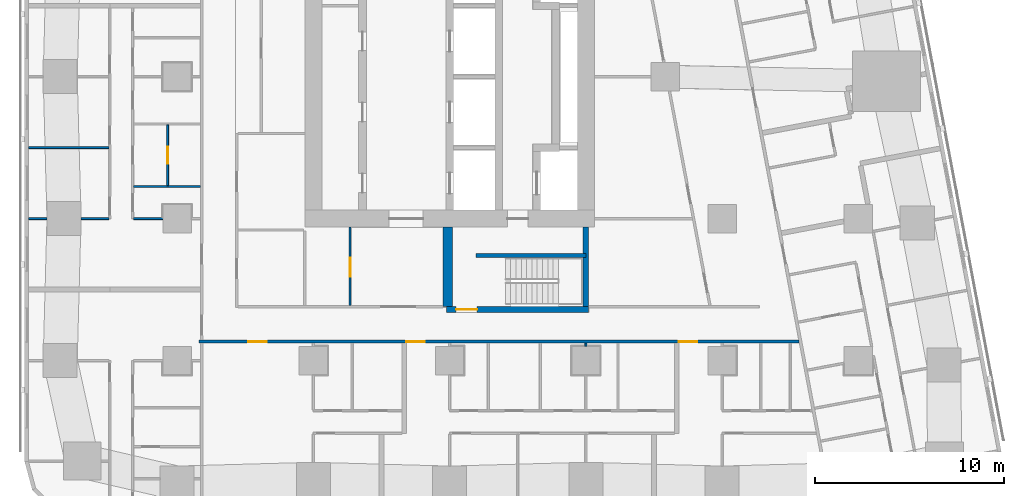
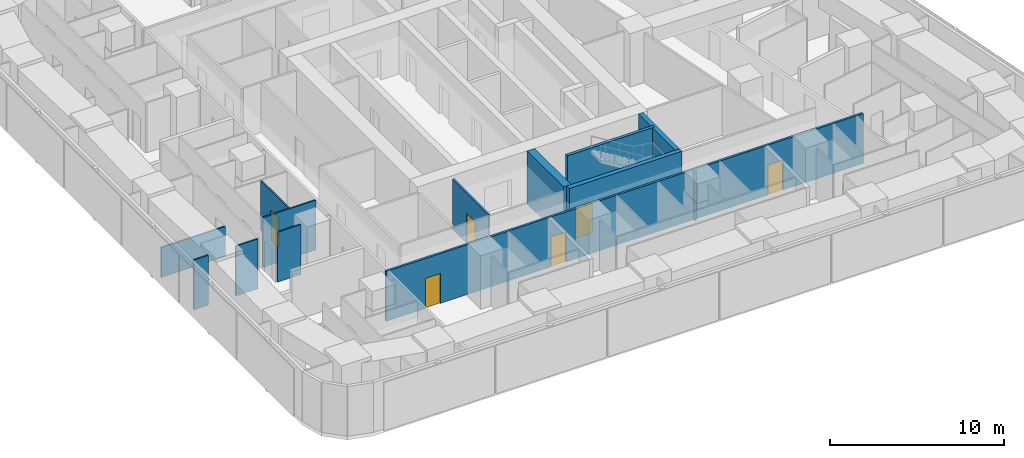
# One storey, part 4 of 15: 13 walls, 6 doors, 6 openings.
"""IFC4 building model written with IfcOpenShell, lengths in metres."""

from ifc_helpers import new_model, si_unit, direction, frame, frame_2d, origin, place, context, subcontext, project, spatial, rectangle, extrude, material, layer, layer_set, type_object, element, fill, save


model = new_model("IFC4")

# Units and contexts
model_context = context("Model", 3, precision=1e-05, world=origin(), true_north=direction((0.0, 1.0)))
body_context = subcontext(model_context, "Body", "Model", "MODEL_VIEW")
ifc_project = project(units=[si_unit("LENGTHUNIT", "METRE"), si_unit("AREAUNIT", "SQUARE_METRE"), si_unit("VOLUMEUNIT", "CUBIC_METRE"), si_unit("PLANEANGLEUNIT", "RADIAN"), si_unit("MASSUNIT", "GRAM", prefix="KILO")], contexts=[model_context])

# Site, building, storey
site_placement = place(None, origin())
site = spatial("IfcSite", under=ifc_project, at=site_placement, CompositionType="ELEMENT")
building_placement = place(site_placement, origin())
building = spatial("IfcBuilding", under=site, at=building_placement, Name="Sheger Commons Tower", CompositionType="ELEMENT")
storey_placement = place(building_placement, frame((0.0, 0.0, 162.050048828125)))
storey = spatial("IfcBuildingStorey", under=building, at=storey_placement, Name="L41", CompositionType="ELEMENT", Elevation=162.050048828125)

# Wall, openings, doors
ifc_material_1 = material(Name="Hollow concrete block masonry, skimmed both sides", Category="masonry")
ifc_layer_1 = layer(ifc_material_1, 0.14990234375)
ifc_layer_set_1 = layer_set([ifc_layer_1], Name="CORRIDOR WALL 150")
wall_type_1 = type_object("IfcWallType", Name="CORRIDOR WALL 150", PredefinedType="SOLIDWALL", material=ifc_layer_set_1)
wall_1_placement = place(storey_placement, frame((40.052978515625, 8.5, 0.0), z_axis=(0.0, 0.0, 1.0), x_axis=(-1.0, 0.0, 0.0)))
wall_1 = element("IfcWall", 1, at=wall_1_placement, inside=storey, type_object=wall_type_1, Name="Corridor wall L41", PredefinedType="SOLIDWALL", context=body_context, shape_type="SweptSolid", body=[
    extrude(rectangle(XDim=31.702880859375, YDim=0.14990234375, at=frame_2d((15.8515625, 0.0))), origin(), (0.0, 0.0, 1.0), 3.5),
])
opening_1_placement = place(wall_1_placement, frame((28.10302734375, 0.0, 0.0)))
opening_1 = element("IfcOpeningElement", 2, at=opening_1_placement, cuts=wall_1, Name="Opening D1", PredefinedType="OPENING", context=body_context, shape_type="SweptSolid", body=[
    extrude(rectangle(XDim=1.0, YDim=2.10009765625, at=frame_2d((0.5, 1.050048828125))), frame((0.0, 0.0849609375, 0.0), z_axis=(0.0, -1.0, 0.0), x_axis=(1.0, 0.0, 0.0)), (0.0, 0.0, 1.0), 0.169921875),
])
opening_2_placement = place(wall_1_placement, frame((19.75390625, 0.0, 0.0)))
opening_2 = element("IfcOpeningElement", 3, at=opening_2_placement, cuts=wall_1, Name="Opening D1", PredefinedType="OPENING", context=body_context, shape_type="SweptSolid", body=[
    extrude(rectangle(XDim=1.0, YDim=2.10009765625, at=frame_2d((0.5, 1.050048828125))), frame((0.0, 0.0849609375, 0.0), z_axis=(0.0, -1.0, 0.0), x_axis=(1.0, 0.0, 0.0)), (0.0, 0.0, 1.0), 0.169921875),
])
opening_3_placement = place(wall_1_placement, frame((5.35400390625, 0.0, 0.0)))
opening_3 = element("IfcOpeningElement", 4, at=opening_3_placement, cuts=wall_1, Name="Opening D1", PredefinedType="OPENING", context=body_context, shape_type="SweptSolid", body=[
    extrude(rectangle(XDim=1.0, YDim=2.10009765625, at=frame_2d((0.5, 1.050048828125))), frame((0.0, 0.0849609375, 0.0), z_axis=(0.0, -1.0, 0.0), x_axis=(1.0, 0.0, 0.0)), (0.0, 0.0, 1.0), 0.169921875),
])
ifc_material_2 = material(Name="Steel door set, fire rated", Category="steel")
door_type_1 = type_object("IfcDoorType", Name="FLAT ENTRANCE DOOR 1000x2100", OperationType="NOTDEFINED", PredefinedType="DOOR", material=ifc_material_2)
door_1_placement = place(opening_1_placement, origin())
door_1 = element("IfcDoor", 5, at=door_1_placement, inside=storey, type_object=door_type_1, Name="Flat entrance door", OperationType="SINGLE_SWING_RIGHT", OverallHeight=2.10009765625, OverallWidth=1.0, PredefinedType="DOOR", context=body_context, shape_type="SweptSolid", body=[
    extrude(rectangle(XDim=1.0, YDim=2.10009765625, at=frame_2d((0.5, 1.050048828125))), frame((0.0, 0.02490234375, 0.0), z_axis=(0.0, -1.0, 0.0), x_axis=(1.0, 0.0, 0.0)), (0.0, 0.0, 1.0), 0.050048828125),
])
fill(opening_1, door_1)
door_2_placement = place(opening_2_placement, origin())
door_2 = element("IfcDoor", 6, at=door_2_placement, inside=storey, type_object=door_type_1, Name="Flat entrance door", OperationType="SINGLE_SWING_RIGHT", OverallHeight=2.10009765625, OverallWidth=1.0, PredefinedType="DOOR", context=body_context, shape_type="SweptSolid", body=[
    extrude(rectangle(XDim=1.0, YDim=2.10009765625, at=frame_2d((0.5, 1.050048828125))), frame((0.0, 0.02490234375, 0.0), z_axis=(0.0, -1.0, 0.0), x_axis=(1.0, 0.0, 0.0)), (0.0, 0.0, 1.0), 0.050048828125),
])
fill(opening_2, door_2)
door_3_placement = place(opening_3_placement, origin())
door_3 = element("IfcDoor", 7, at=door_3_placement, inside=storey, type_object=door_type_1, Name="Flat entrance door", OperationType="SINGLE_SWING_RIGHT", OverallHeight=2.10009765625, OverallWidth=1.0, PredefinedType="DOOR", context=body_context, shape_type="SweptSolid", body=[
    extrude(rectangle(XDim=1.0, YDim=2.10009765625, at=frame_2d((0.5, 1.050048828125))), frame((0.0, 0.02490234375, 0.0), z_axis=(0.0, -1.0, 0.0), x_axis=(1.0, 0.0, 0.0)), (0.0, 0.0, 1.0), 0.050048828125),
])
fill(opening_3, door_3)

# Walls
ifc_material_3 = material(Name="Gypsum board on steel studs", Category="steel")
ifc_layer_2 = layer(ifc_material_3, 0.10009765625)
ifc_layer_set_2 = layer_set([ifc_layer_2], Name="PARTITION 100")
wall_type_2 = type_object("IfcWallType", Name="PARTITION 100", PredefinedType="PARTITIONING", material=ifc_layer_set_2)
wall_2_placement = place(storey_placement, frame((-0.64990234375, 15.0, 0.0), z_axis=(0.0, 0.0, 1.0), x_axis=(1.0, 0.0, 0.0)))
element("IfcWall", 8, at=wall_2_placement, inside=storey, type_object=wall_type_2, Name="Partition L41", PredefinedType="PARTITIONING", context=body_context, shape_type="SweptSolid", body=[
    extrude(rectangle(XDim=0.973876953125, YDim=0.10009765625, at=frame_2d((0.48681640625, 0.0))), origin(), (0.0, 0.0, 1.0), 3.5),
])
wall_3_placement = place(storey_placement, frame((2.1259765625, 15.0, 0.0), z_axis=(0.0, 0.0, 1.0), x_axis=(1.0, 0.0, 0.0)))
element("IfcWall", 9, at=wall_3_placement, inside=storey, type_object=wall_type_2, Name="Partition L41", PredefinedType="PARTITIONING", context=body_context, shape_type="SweptSolid", body=[
    extrude(rectangle(XDim=1.47412109375, YDim=0.10009765625, at=frame_2d((0.737060546875, 0.0))), origin(), (0.0, 0.0, 1.0), 3.5),
])
wall_4_placement = place(storey_placement, frame((-0.64990234375, 18.75, 0.0), z_axis=(0.0, 0.0, 1.0), x_axis=(1.0, 0.0, 0.0)))
element("IfcWall", 10, at=wall_4_placement, inside=storey, type_object=wall_type_2, Name="Partition L41", PredefinedType="PARTITIONING", context=body_context, shape_type="SweptSolid", body=[
    extrude(rectangle(XDim=4.25, YDim=0.10009765625, at=frame_2d((2.125, 0.0))), origin(), (0.0, 0.0, 1.0), 2.099853515625),
])
wall_5_placement = place(storey_placement, frame((4.89990234375, 15.0, 0.0), z_axis=(0.0, 0.0, 1.0), x_axis=(1.0, 0.0, 0.0)))
element("IfcWall", 11, at=wall_5_placement, inside=storey, type_object=wall_type_2, Name="Partition L41", PredefinedType="PARTITIONING", context=body_context, shape_type="SweptSolid", body=[
    extrude(rectangle(XDim=1.549072265625, YDim=0.10009765625, at=frame_2d((0.7744140625, 0.0))), origin(), (0.0, 0.0, 1.0), 3.5),
])
wall_6_placement = place(storey_placement, frame((4.89990234375, 16.699951171875, 0.0), z_axis=(0.0, 0.0, 1.0), x_axis=(1.0, 0.0, 0.0)))
element("IfcWall", 12, at=wall_6_placement, inside=storey, type_object=wall_type_2, Name="Partition L41", PredefinedType="PARTITIONING", context=body_context, shape_type="SweptSolid", body=[
    extrude(rectangle(XDim=3.525146484375, YDim=0.10009765625, at=frame_2d((1.7626953125, 0.0))), origin(), (0.0, 0.0, 1.0), 3.5),
])
wall_7_placement = place(storey_placement, frame((28.800048828125, 8.2509765625, 0.0), z_axis=(0.0, 0.0, 1.0), x_axis=(0.0, 1.0, 0.0)))
element("IfcWall", 13, at=wall_7_placement, inside=storey, type_object=wall_type_2, Name="Partition L41", PredefinedType="PARTITIONING", context=body_context, shape_type="SweptSolid", body=[
    extrude(rectangle(XDim=0.174072265625, YDim=0.10009765625, at=frame_2d((0.0869140625, 0.0))), origin(), (0.0, 0.0, 1.0), 3.5),
])

# Wall, opening, door
wall_8_placement = place(storey_placement, frame((6.699951171875, 16.75, 0.0), z_axis=(0.0, 0.0, 1.0), x_axis=(0.0, 1.0, 0.0)))
wall_8 = element("IfcWall", 14, at=wall_8_placement, inside=storey, type_object=wall_type_2, Name="Partition L41", PredefinedType="PARTITIONING", context=body_context, shape_type="SweptSolid", body=[
    extrude(rectangle(XDim=3.198974609375, YDim=0.10009765625, at=frame_2d((1.599609375, 0.0))), origin(), (0.0, 0.0, 1.0), 3.5),
])
opening_4_placement = place(wall_8_placement, frame((1.14892578125, 0.0, 0.0)))
opening_4 = element("IfcOpeningElement", 15, at=opening_4_placement, cuts=wall_8, Name="Opening D2", PredefinedType="OPENING", context=body_context, shape_type="SweptSolid", body=[
    extrude(rectangle(XDim=0.89990234375, YDim=2.10009765625, at=frame_2d((0.449951171875, 1.050048828125))), frame((0.0, 0.06005859375, 0.0), z_axis=(0.0, -1.0, 0.0), x_axis=(1.0, 0.0, 0.0)), (0.0, 0.0, 1.0), 0.1201171875),
])
ifc_material_4 = material(Name="Timber door set", Category="wood")
door_type_2 = type_object("IfcDoorType", Name="INTERNAL DOOR 900x2100", OperationType="NOTDEFINED", PredefinedType="DOOR", material=ifc_material_4)
door_4_placement = place(opening_4_placement, origin())
door_4 = element("IfcDoor", 16, at=door_4_placement, inside=storey, type_object=door_type_2, Name="Store door", OperationType="SINGLE_SWING_RIGHT", OverallHeight=2.10009765625, OverallWidth=0.89990234375, PredefinedType="DOOR", context=body_context, shape_type="SweptSolid", body=[
    extrude(rectangle(XDim=0.89990234375, YDim=2.10009765625, at=frame_2d((0.449951171875, 1.050048828125))), frame((0.0, 0.02490234375, 0.0), z_axis=(0.0, -1.0, 0.0), x_axis=(1.0, 0.0, 0.0)), (0.0, 0.0, 1.0), 0.050048828125),
])
fill(opening_4, door_4)

ifc_material_5 = material(Name="Gypsum board on steel studs, two layers each side, fire rated", Category="steel")
ifc_layer_3 = layer(ifc_material_5, 0.125)
ifc_layer_set_3 = layer_set([ifc_layer_3], Name="SERVICE WALL 125")
wall_type_3 = type_object("IfcWallType", Name="SERVICE WALL 125", PredefinedType="PARTITIONING", material=ifc_layer_set_3)
wall_9_placement = place(storey_placement, frame((16.340087890625, 10.4130859375, 0.0), z_axis=(0.0, 0.0, 1.0), x_axis=(0.0, 1.0, 0.0)))
wall_9 = element("IfcWall", 17, at=wall_9_placement, inside=storey, type_object=wall_type_3, Name="Service room wall L41", PredefinedType="PARTITIONING", context=body_context, shape_type="SweptSolid", body=[
    extrude(rectangle(XDim=4.136962890625, YDim=0.125, at=frame_2d((2.068359375, 0.0))), origin(), (0.0, 0.0, 1.0), 3.5),
])
opening_5_placement = place(wall_9_placement, frame((1.511962890625, 0.0, 0.0)))
opening_5 = element("IfcOpeningElement", 18, at=opening_5_placement, cuts=wall_9, Name="Opening D4", PredefinedType="OPENING", context=body_context, shape_type="SweptSolid", body=[
    extrude(rectangle(XDim=1.0, YDim=2.10009765625, at=frame_2d((0.5, 1.050048828125))), frame((0.0, 0.072509765625, 0.0), z_axis=(0.0, -1.0, 0.0), x_axis=(1.0, 0.0, 0.0)), (0.0, 0.0, 1.0), 0.14501953125),
])
ifc_material_6 = material(Name="Steel door set, fire rated", Category="steel")
door_type_3 = type_object("IfcDoorType", Name="SERVICE DOOR 1000x2100", OperationType="NOTDEFINED", PredefinedType="DOOR", material=ifc_material_6)
door_5_placement = place(opening_5_placement, origin())
door_5 = element("IfcDoor", 19, at=door_5_placement, inside=storey, type_object=door_type_3, Name="Electrical room door", OperationType="SINGLE_SWING_LEFT", OverallHeight=2.10009765625, OverallWidth=1.0, PredefinedType="DOOR", context=body_context, shape_type="SweptSolid", body=[
    extrude(rectangle(XDim=1.0, YDim=2.10009765625, at=frame_2d((0.5, 1.050048828125))), frame((0.0, 0.02490234375, 0.0), z_axis=(0.0, -1.0, 0.0), x_axis=(1.0, 0.0, 0.0)), (0.0, 0.0, 1.0), 0.050048828125),
])
fill(opening_5, door_5)

ifc_material_7 = material(Name="Concrete C50/60", Category="concrete")
ifc_layer_4 = layer(ifc_material_7, 0.300048828125)
ifc_layer_set_4 = layer_set([ifc_layer_4], Name="STAIR CORE WALL 300")
wall_type_4 = type_object("IfcWallType", Name="STAIR CORE WALL 300", PredefinedType="SHEAR", material=ifc_layer_set_4)
wall_10_placement = place(storey_placement, frame((21.449951171875, 10.199951171875, 0.0), z_axis=(0.0, 0.0, 1.0), x_axis=(1.0, 0.0, 0.0)))
wall_10 = element("IfcWall", 20, at=wall_10_placement, inside=storey, type_object=wall_type_4, Name="STW-L41-S1S", PredefinedType="SHEAR", context=body_context, shape_type="SweptSolid", body=[
    extrude(rectangle(XDim=7.5, YDim=0.300048828125, at=frame_2d((3.75, 0.0))), origin(), (0.0, 0.0, 1.0), 3.75),
])
opening_6_placement = place(wall_10_placement, frame((0.5, 0.0, 0.0)))
opening_6 = element("IfcOpeningElement", 21, at=opening_6_placement, cuts=wall_10, Name="Opening D5", PredefinedType="OPENING", context=body_context, shape_type="SweptSolid", body=[
    extrude(rectangle(XDim=1.10009765625, YDim=2.10009765625, at=frame_2d((0.550048828125, 1.050048828125))), frame((0.0, 0.159912109375, 0.0), z_axis=(0.0, -1.0, 0.0), x_axis=(1.0, 0.0, 0.0)), (0.0, 0.0, 1.0), 0.320068359375),
])
ifc_material_8 = material(Name="Steel door set, fire rated", Category="steel")
door_type_4 = type_object("IfcDoorType", Name="STAIR DOOR 1100x2100", OperationType="NOTDEFINED", PredefinedType="DOOR", material=ifc_material_8)
door_6_placement = place(opening_6_placement, origin())
door_6 = element("IfcDoor", 22, at=door_6_placement, inside=storey, type_object=door_type_4, Name="Stair S1 door", OperationType="SINGLE_SWING_LEFT", OverallHeight=2.10009765625, OverallWidth=1.10009765625, PredefinedType="DOOR", context=body_context, shape_type="SweptSolid", body=[
    extrude(rectangle(XDim=1.10009765625, YDim=2.10009765625, at=frame_2d((0.550048828125, 1.050048828125))), frame((0.0, 0.02490234375, 0.0), z_axis=(0.0, -1.0, 0.0), x_axis=(1.0, 0.0, 0.0)), (0.0, 0.0, 1.0), 0.050048828125),
])
fill(opening_6, door_6)

# Walls
wall_11_placement = place(storey_placement, frame((28.800048828125, 10.35009765625, 0.0), z_axis=(0.0, 0.0, 1.0), x_axis=(0.0, 1.0, 0.0)))
element("IfcWall", 23, at=wall_11_placement, inside=storey, type_object=wall_type_4, Name="STW-L41-S1E", PredefinedType="SHEAR", context=body_context, shape_type="SweptSolid", body=[
    extrude(rectangle(XDim=4.199951171875, YDim=0.300048828125, at=frame_2d((2.10009765625, 0.0))), origin(), (0.0, 0.0, 1.0), 3.75),
])
ifc_material_9 = material(Name="Concrete C50/60", Category="concrete")
ifc_layer_5 = layer(ifc_material_9, 0.5)
ifc_layer_set_5 = layer_set([ifc_layer_5], Name="STAIR CORE WALL 500")
wall_type_5 = type_object("IfcWallType", Name="STAIR CORE WALL 500", PredefinedType="SHEAR", material=ifc_layer_set_5)
wall_12_placement = place(storey_placement, frame((21.5, 10.35009765625, 0.0), z_axis=(0.0, 0.0, 1.0), x_axis=(0.0, 1.0, 0.0)))
element("IfcWall", 24, at=wall_12_placement, inside=storey, type_object=wall_type_5, Name="STW-L41-S1W", PredefinedType="SHEAR", context=body_context, shape_type="SweptSolid", body=[
    extrude(rectangle(XDim=4.199951171875, YDim=0.5, at=frame_2d((2.10009765625, 0.0))), origin(), (0.0, 0.0, 1.0), 3.75),
])
ifc_material_10 = material(Name="Concrete C50/60", Category="concrete")
ifc_layer_6 = layer(ifc_material_10, 0.199951171875)
ifc_layer_set_6 = layer_set([ifc_layer_6], Name="STAIR SPINE WALL 200")
wall_type_6 = type_object("IfcWallType", Name="STAIR SPINE WALL 200", PredefinedType="SHEAR", material=ifc_layer_set_6)
wall_13_placement = place(storey_placement, frame((23.0, 13.050048828125, 0.0), z_axis=(0.0, 0.0, 1.0), x_axis=(1.0, 0.0, 0.0)))
element("IfcWall", 25, at=wall_13_placement, inside=storey, type_object=wall_type_6, Name="Stair spine wall L41", PredefinedType="SHEAR", context=body_context, shape_type="SweptSolid", body=[
    extrude(rectangle(XDim=5.800048828125, YDim=0.199951171875, at=frame_2d((2.89990234375, 0.0))), origin(), (0.0, 0.0, 1.0), 3.75),
])

save(model, "model.ifc")
